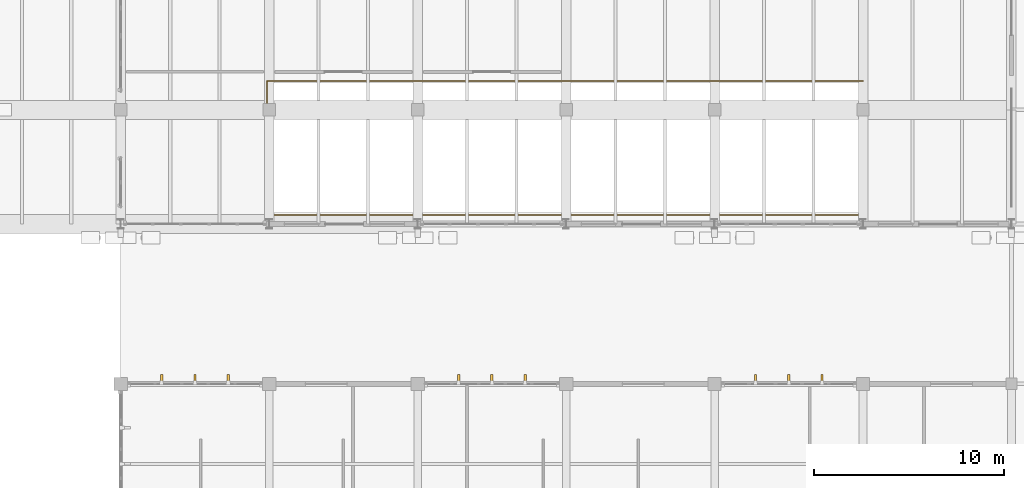
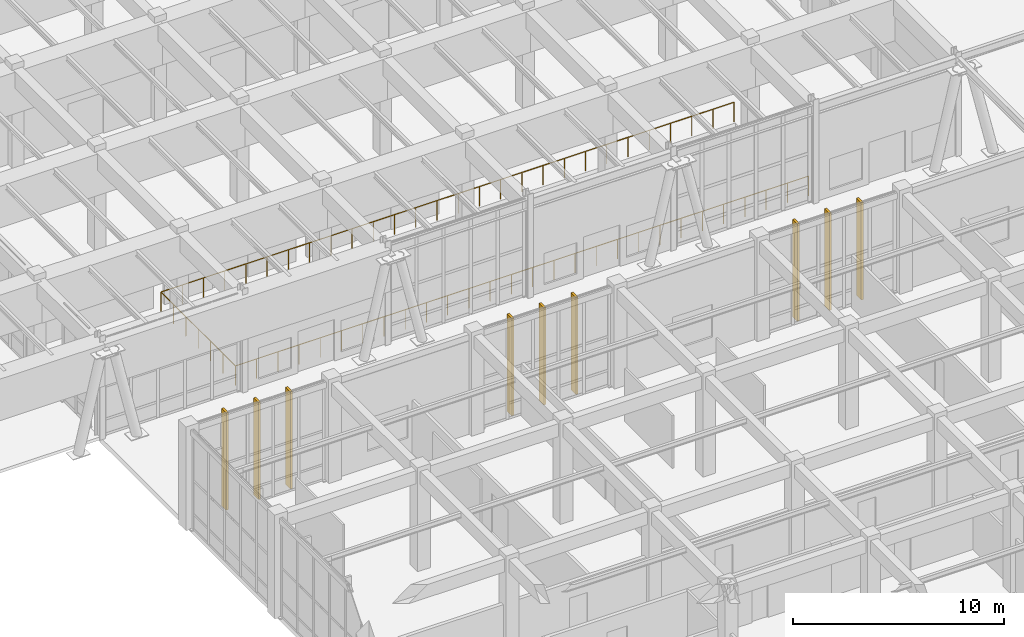
# One storey, part 96 of 110: 9 coverings, 1 railing.
"""IFC4 building model written with IfcOpenShell, lengths in metres."""

from ifc_helpers import new_model, si_unit, direction, frame, origin, origin_2d, place, context, subcontext, project, spatial, rectangle, circle, extrude, material, layer, layer_set, type_object, element, save


model = new_model("IFC4")

# Units and contexts
model_context = context("Model", 3, precision=1e-05, world=origin(), true_north=direction((0.0, 1.0)))
body_context = subcontext(model_context, "Body", "Model", "MODEL_VIEW")
ifc_project = project(units=[si_unit("LENGTHUNIT", "METRE"), si_unit("AREAUNIT", "SQUARE_METRE"), si_unit("VOLUMEUNIT", "CUBIC_METRE"), si_unit("PLANEANGLEUNIT", "RADIAN"), si_unit("MASSUNIT", "GRAM", prefix="KILO")], contexts=[model_context])

# Site, building, storey
site_placement = place(None, origin())
site = spatial("IfcSite", under=ifc_project, at=site_placement, CompositionType="ELEMENT")
building_placement = place(site_placement, origin())
building = spatial("IfcBuilding", under=site, at=building_placement, Name="Tizgana Railside Sports Hall", CompositionType="ELEMENT")
storey_placement = place(building_placement, origin())
storey = spatial("IfcBuildingStorey", under=building, at=storey_placement, Name="L00", CompositionType="ELEMENT", Elevation=0.0)

# Coverings
ifc_material_1 = material(Name="Glulam GL28h", Category="wood")
ifc_layer = layer(ifc_material_1, 0.139892578125, Name="Glulam GL28h")
ifc_layer_set = layer_set([ifc_layer], Name="Glulam GL28h")
covering_type = type_object("IfcCoveringType", Name="Mass-Timber Brise-Soleil & Pergola Fin", PredefinedType="CLADDING", material=ifc_layer_set)
for number, where, z_axis, x_axis, name in (
    (1, (9.952392578125, 32.679931640625, 0.0849609375), (0.0, 0.0, 1.0), (1.0, 0.0, 0.0), "L00 Timber Brise-Soleil Fin"),
    (2, (11.699951171875, 32.679931640625, 0.0849609375), (0.0, 0.0, 1.0), (1.0, 0.0, 0.0), "L00 Timber Brise-Soleil Fin"),
    (3, (13.447509765625, 32.679931640625, 0.0849609375), (0.0, 0.0, 1.0), (1.0, 0.0, 0.0), "L00 Timber Brise-Soleil Fin"),
    (4, (25.552490234375, 32.679931640625, 0.0849609375), (0.0, 0.0, 1.0), (1.0, 0.0, 0.0), "L00 Timber Brise-Soleil Fin"),
    (5, (27.300048828125, 32.679931640625, 0.0849609375), (0.0, 0.0, 1.0), (1.0, 0.0, 0.0), "L00 Timber Brise-Soleil Fin"),
    (6, (29.047607421875, 32.679931640625, 0.0849609375), (0.0, 0.0, 1.0), (1.0, 0.0, 0.0), "L00 Timber Brise-Soleil Fin"),
    (7, (41.152587890625, 32.679931640625, 0.0849609375), (0.0, 0.0, 1.0), (1.0, 0.0, 0.0), "L00 Timber Brise-Soleil Fin"),
    (8, (42.89990234375, 32.679931640625, 0.0849609375), (0.0, 0.0, 1.0), (1.0, 0.0, 0.0), "L00 Timber Brise-Soleil Fin"),
    (9, (44.6474609375, 32.679931640625, 0.0849609375), (0.0, 0.0, 1.0), (1.0, 0.0, 0.0), "L00 Timber Brise-Soleil Fin"),
):
    element("IfcCovering", number, at=place(storey_placement, frame(where, z_axis=z_axis, x_axis=x_axis)), inside=storey, type_object=covering_type, Name=name, PredefinedType="CLADDING", context=body_context, shape_type="SweptSolid", body=[
        extrude(rectangle(XDim=0.1201171875, YDim=0.43994140625, at=origin_2d()), origin(), (0.0, 0.0, 1.0), 5.625),
    ])

# Railing
ifc_material_2 = material(Name="Anodised aluminium", Category="aluminium")
railing_type = type_object("IfcRailingType", Name="Terrace & Track Guard 1150", PredefinedType="BALUSTRADE", material=ifc_material_2)
railing_placement = place(storey_placement, frame((46.800048828125, 41.280029296875, 0.0)))
element("IfcRailing", 10, at=railing_placement, inside=storey, type_object=railing_type, Name="L00 Safety Guard GRD-0041", PredefinedType="BALUSTRADE", context=body_context, shape_type="SweptSolid", body=[
    extrude(circle(Radius=0.02392578125, at=origin_2d()), frame((0.0, 0.0, 1.1259765625), z_axis=(-1.0, 0.0, 0.0), x_axis=(0.0, -1.0, 0.0)), (0.0, 0.0, 1.0), 31.320068359375),
    extrude(circle(Radius=0.02392578125, at=origin_2d()), frame((-31.320068359375, 0.0, 1.1259765625), z_axis=(0.0, 1.0, 0.0), x_axis=(-1.0, 0.0, 0.0)), (0.0, 0.0, 1.0), 7.0400390625),
    extrude(circle(Radius=0.02392578125, at=origin_2d()), frame((-31.320068359375, 7.0400390625, 1.1259765625), z_axis=(1.0, 0.0, 0.0), x_axis=(0.0, 1.0, 0.0)), (0.0, 0.0, 1.0), 31.320068359375),
    extrude(circle(Radius=0.02099609375, at=origin_2d()), origin(), (0.0, 0.0, 1.0), 1.101806640625),
    extrude(circle(Radius=0.02099609375, at=origin_2d()), frame((-1.159912109375, 0.0, 0.0)), (0.0, 0.0, 1.0), 1.101806640625),
    extrude(circle(Radius=0.02099609375, at=origin_2d()), frame((-2.320068359375, 0.0, 0.0)), (0.0, 0.0, 1.0), 1.101806640625),
    extrude(circle(Radius=0.02099609375, at=origin_2d()), frame((-3.47998046875, 0.0, 0.0)), (0.0, 0.0, 1.0), 1.101806640625),
    extrude(circle(Radius=0.02099609375, at=origin_2d()), frame((-4.639892578125, 0.0, 0.0)), (0.0, 0.0, 1.0), 1.101806640625),
    extrude(circle(Radius=0.02099609375, at=origin_2d()), frame((-5.800048828125, 0.0, 0.0)), (0.0, 0.0, 1.0), 1.101806640625),
    extrude(circle(Radius=0.02099609375, at=origin_2d()), frame((-6.9599609375, 0.0, 0.0)), (0.0, 0.0, 1.0), 1.101806640625),
    extrude(circle(Radius=0.02099609375, at=origin_2d()), frame((-8.1201171875, 0.0, 0.0)), (0.0, 0.0, 1.0), 1.101806640625),
    extrude(circle(Radius=0.02099609375, at=origin_2d()), frame((-9.280029296875, 0.0, 0.0)), (0.0, 0.0, 1.0), 1.101806640625),
    extrude(circle(Radius=0.02099609375, at=origin_2d()), frame((-10.43994140625, 0.0, 0.0)), (0.0, 0.0, 1.0), 1.101806640625),
    extrude(circle(Radius=0.02099609375, at=origin_2d()), frame((-11.60009765625, 0.0, 0.0)), (0.0, 0.0, 1.0), 1.101806640625),
    extrude(circle(Radius=0.02099609375, at=origin_2d()), frame((-12.760009765625, 0.0, 0.0)), (0.0, 0.0, 1.0), 1.101806640625),
    extrude(circle(Radius=0.02099609375, at=origin_2d()), frame((-13.919921875, 0.0, 0.0)), (0.0, 0.0, 1.0), 1.101806640625),
    extrude(circle(Radius=0.02099609375, at=origin_2d()), frame((-15.080078125, 0.0, 0.0)), (0.0, 0.0, 1.0), 1.101806640625),
    extrude(circle(Radius=0.02099609375, at=origin_2d()), frame((-16.239990234375, 0.0, 0.0)), (0.0, 0.0, 1.0), 1.101806640625),
    extrude(circle(Radius=0.02099609375, at=origin_2d()), frame((-17.400146484375, 0.0, 0.0)), (0.0, 0.0, 1.0), 1.101806640625),
    extrude(circle(Radius=0.02099609375, at=origin_2d()), frame((-18.56005859375, 0.0, 0.0)), (0.0, 0.0, 1.0), 1.101806640625),
    extrude(circle(Radius=0.02099609375, at=origin_2d()), frame((-19.719970703125, 0.0, 0.0)), (0.0, 0.0, 1.0), 1.101806640625),
    extrude(circle(Radius=0.02099609375, at=origin_2d()), frame((-20.880126953125, 0.0, 0.0)), (0.0, 0.0, 1.0), 1.101806640625),
    extrude(circle(Radius=0.02099609375, at=origin_2d()), frame((-22.0400390625, 0.0, 0.0)), (0.0, 0.0, 1.0), 1.101806640625),
    extrude(circle(Radius=0.02099609375, at=origin_2d()), frame((-23.199951171875, 0.0, 0.0)), (0.0, 0.0, 1.0), 1.101806640625),
    extrude(circle(Radius=0.02099609375, at=origin_2d()), frame((-24.360107421875, 0.0, 0.0)), (0.0, 0.0, 1.0), 1.101806640625),
    extrude(circle(Radius=0.02099609375, at=origin_2d()), frame((-25.52001953125, 0.0, 0.0)), (0.0, 0.0, 1.0), 1.101806640625),
    extrude(circle(Radius=0.02099609375, at=origin_2d()), frame((-26.68017578125, 0.0, 0.0)), (0.0, 0.0, 1.0), 1.101806640625),
    extrude(circle(Radius=0.02099609375, at=origin_2d()), frame((-27.840087890625, 0.0, 0.0)), (0.0, 0.0, 1.0), 1.101806640625),
    extrude(circle(Radius=0.02099609375, at=origin_2d()), frame((-29.0, 0.0, 0.0)), (0.0, 0.0, 1.0), 1.101806640625),
    extrude(circle(Radius=0.02099609375, at=origin_2d()), frame((-30.16015625, 0.0, 0.0)), (0.0, 0.0, 1.0), 1.101806640625),
    extrude(circle(Radius=0.02099609375, at=origin_2d()), frame((-31.320068359375, 0.0, 0.0)), (0.0, 0.0, 1.0), 1.101806640625),
    extrude(circle(Radius=0.02099609375, at=origin_2d()), frame((-31.320068359375, 1.17333984375, 0.0)), (0.0, 0.0, 1.0), 1.101806640625),
    extrude(circle(Radius=0.02099609375, at=origin_2d()), frame((-31.320068359375, 2.3466796875, 0.0)), (0.0, 0.0, 1.0), 1.101806640625),
    extrude(circle(Radius=0.02099609375, at=origin_2d()), frame((-31.320068359375, 3.52001953125, 0.0)), (0.0, 0.0, 1.0), 1.101806640625),
    extrude(circle(Radius=0.02099609375, at=origin_2d()), frame((-31.320068359375, 4.693359375, 0.0)), (0.0, 0.0, 1.0), 1.101806640625),
    extrude(circle(Radius=0.02099609375, at=origin_2d()), frame((-31.320068359375, 5.86669921875, 0.0)), (0.0, 0.0, 1.0), 1.101806640625),
    extrude(circle(Radius=0.02099609375, at=origin_2d()), frame((-31.320068359375, 7.0400390625, 0.0)), (0.0, 0.0, 1.0), 1.101806640625),
    extrude(circle(Radius=0.02099609375, at=origin_2d()), frame((-30.16015625, 7.0400390625, 0.0)), (0.0, 0.0, 1.0), 1.101806640625),
    extrude(circle(Radius=0.02099609375, at=origin_2d()), frame((-29.0, 7.0400390625, 0.0)), (0.0, 0.0, 1.0), 1.101806640625),
    extrude(circle(Radius=0.02099609375, at=origin_2d()), frame((-27.840087890625, 7.0400390625, 0.0)), (0.0, 0.0, 1.0), 1.101806640625),
    extrude(circle(Radius=0.02099609375, at=origin_2d()), frame((-26.68017578125, 7.0400390625, 0.0)), (0.0, 0.0, 1.0), 1.101806640625),
    extrude(circle(Radius=0.02099609375, at=origin_2d()), frame((-25.52001953125, 7.0400390625, 0.0)), (0.0, 0.0, 1.0), 1.101806640625),
    extrude(circle(Radius=0.02099609375, at=origin_2d()), frame((-24.360107421875, 7.0400390625, 0.0)), (0.0, 0.0, 1.0), 1.101806640625),
    extrude(circle(Radius=0.02099609375, at=origin_2d()), frame((-23.199951171875, 7.0400390625, 0.0)), (0.0, 0.0, 1.0), 1.101806640625),
    extrude(circle(Radius=0.02099609375, at=origin_2d()), frame((-22.0400390625, 7.0400390625, 0.0)), (0.0, 0.0, 1.0), 1.101806640625),
    extrude(circle(Radius=0.02099609375, at=origin_2d()), frame((-20.880126953125, 7.0400390625, 0.0)), (0.0, 0.0, 1.0), 1.101806640625),
    extrude(circle(Radius=0.02099609375, at=origin_2d()), frame((-19.719970703125, 7.0400390625, 0.0)), (0.0, 0.0, 1.0), 1.101806640625),
    extrude(circle(Radius=0.02099609375, at=origin_2d()), frame((-18.56005859375, 7.0400390625, 0.0)), (0.0, 0.0, 1.0), 1.101806640625),
    extrude(circle(Radius=0.02099609375, at=origin_2d()), frame((-17.400146484375, 7.0400390625, 0.0)), (0.0, 0.0, 1.0), 1.101806640625),
    extrude(circle(Radius=0.02099609375, at=origin_2d()), frame((-16.239990234375, 7.0400390625, 0.0)), (0.0, 0.0, 1.0), 1.101806640625),
    extrude(circle(Radius=0.02099609375, at=origin_2d()), frame((-15.080078125, 7.0400390625, 0.0)), (0.0, 0.0, 1.0), 1.101806640625),
    extrude(circle(Radius=0.02099609375, at=origin_2d()), frame((-13.919921875, 7.0400390625, 0.0)), (0.0, 0.0, 1.0), 1.101806640625),
    extrude(circle(Radius=0.02099609375, at=origin_2d()), frame((-12.760009765625, 7.0400390625, 0.0)), (0.0, 0.0, 1.0), 1.101806640625),
    extrude(circle(Radius=0.02099609375, at=origin_2d()), frame((-11.60009765625, 7.0400390625, 0.0)), (0.0, 0.0, 1.0), 1.101806640625),
    extrude(circle(Radius=0.02099609375, at=origin_2d()), frame((-10.43994140625, 7.0400390625, 0.0)), (0.0, 0.0, 1.0), 1.101806640625),
    extrude(circle(Radius=0.02099609375, at=origin_2d()), frame((-9.280029296875, 7.0400390625, 0.0)), (0.0, 0.0, 1.0), 1.101806640625),
    extrude(circle(Radius=0.02099609375, at=origin_2d()), frame((-8.1201171875, 7.0400390625, 0.0)), (0.0, 0.0, 1.0), 1.101806640625),
    extrude(circle(Radius=0.02099609375, at=origin_2d()), frame((-6.9599609375, 7.0400390625, 0.0)), (0.0, 0.0, 1.0), 1.101806640625),
    extrude(circle(Radius=0.02099609375, at=origin_2d()), frame((-5.800048828125, 7.0400390625, 0.0)), (0.0, 0.0, 1.0), 1.101806640625),
    extrude(circle(Radius=0.02099609375, at=origin_2d()), frame((-4.639892578125, 7.0400390625, 0.0)), (0.0, 0.0, 1.0), 1.101806640625),
    extrude(circle(Radius=0.02099609375, at=origin_2d()), frame((-3.47998046875, 7.0400390625, 0.0)), (0.0, 0.0, 1.0), 1.101806640625),
    extrude(circle(Radius=0.02099609375, at=origin_2d()), frame((-2.320068359375, 7.0400390625, 0.0)), (0.0, 0.0, 1.0), 1.101806640625),
    extrude(circle(Radius=0.02099609375, at=origin_2d()), frame((-1.159912109375, 7.0400390625, 0.0)), (0.0, 0.0, 1.0), 1.101806640625),
    extrude(circle(Radius=0.02099609375, at=origin_2d()), frame((0.0, 7.0400390625, 0.0)), (0.0, 0.0, 1.0), 1.101806640625),
])

save(model, "model.ifc")
